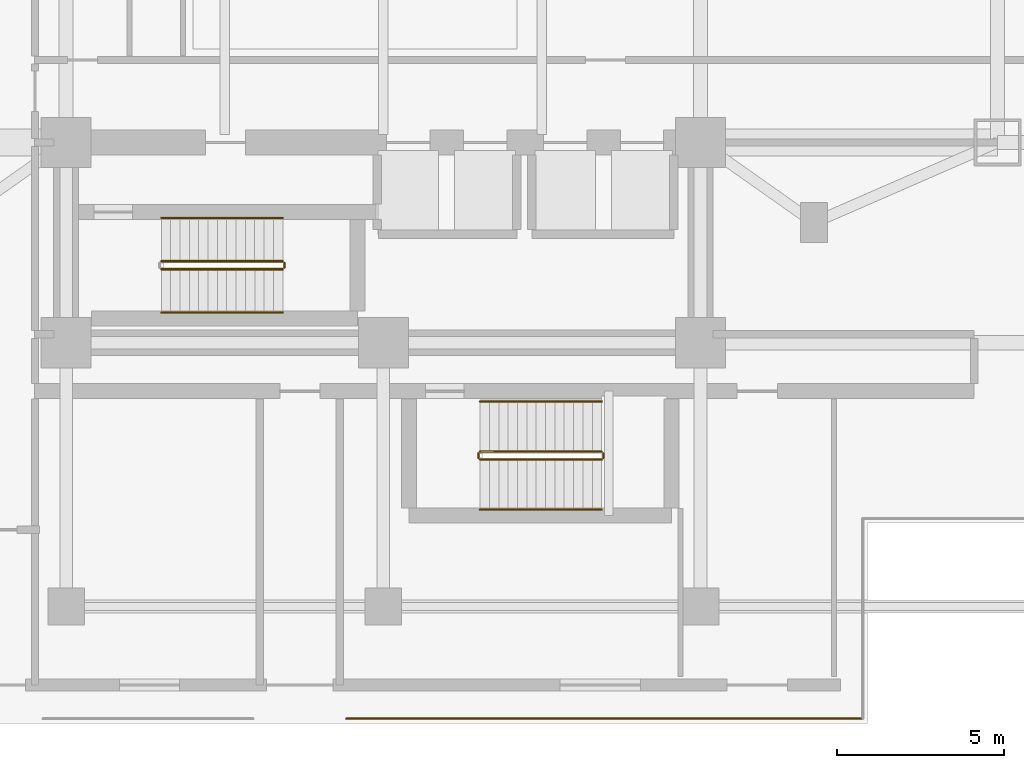
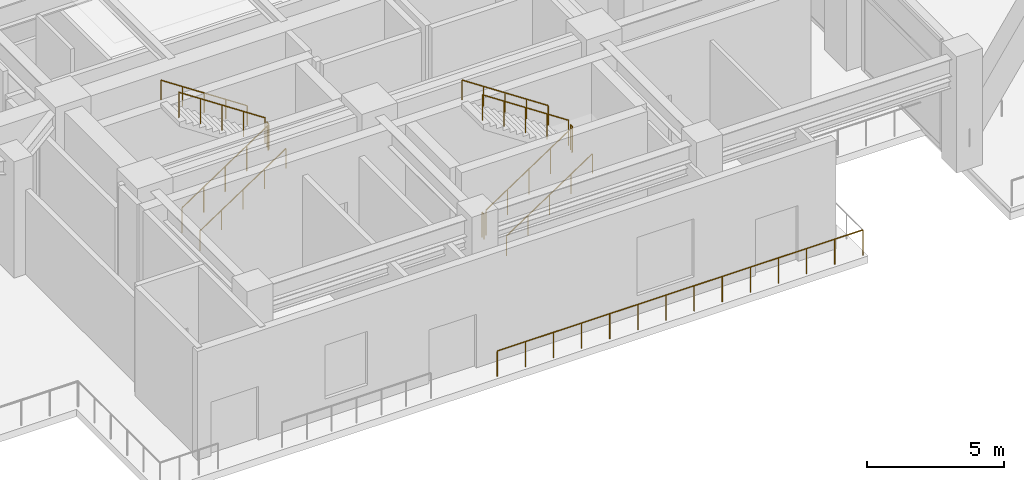
# One storey, part 18 of 27: 12 railings.
"""IFC4 building model written with IfcOpenShell, lengths in metres."""

from ifc_helpers import new_model, si_unit, direction, frame, origin, origin_2d, place, context, subcontext, project, spatial, circle, extrude, material, type_object, element, save


model = new_model("IFC4")

# Units and contexts
model_context = context("Model", 3, precision=1e-05, world=origin(), true_north=direction((0.0, 1.0)))
body_context = subcontext(model_context, "Body", "Model", "MODEL_VIEW")
ifc_project = project(units=[si_unit("LENGTHUNIT", "METRE"), si_unit("AREAUNIT", "SQUARE_METRE"), si_unit("VOLUMEUNIT", "CUBIC_METRE"), si_unit("PLANEANGLEUNIT", "RADIAN"), si_unit("MASSUNIT", "GRAM", prefix="KILO")], contexts=[model_context])

# Site, building, storey
site_placement = place(None, origin())
site = spatial("IfcSite", under=ifc_project, at=site_placement, CompositionType="ELEMENT")
building_placement = place(site_placement, origin())
building = spatial("IfcBuilding", under=site, at=building_placement, Name="Mirazonda Arch Towers", CompositionType="ELEMENT")
storey_placement = place(building_placement, origin())
storey = spatial("IfcBuildingStorey", under=building, at=storey_placement, Name="L00", CompositionType="ELEMENT", Elevation=0.0)

# Railings
ifc_material = material(Name="Architectural Brushed Steel S355", Category="steel")
railing_type_1 = type_object("IfcRailingType", Name="GUARD-EXT-1150", PredefinedType="GUARDRAIL", material=ifc_material)
railing_1_placement = place(storey_placement, frame((19.39990234375, 1.139892578125, 0.0)))
element("IfcRailing", 1, at=railing_1_placement, inside=storey, type_object=railing_type_1, Name="L00 L00 Podium Edge Guard 3 01", PredefinedType="GUARDRAIL", context=body_context, shape_type="SweptSolid", body=[
    extrude(circle(Radius=0.02392578125, at=origin_2d()), frame((0.0, 0.0, 1.1259765625), z_axis=(1.0, 0.0, 0.0), x_axis=(0.0, 1.0, 0.0)), (0.0, 0.0, 1.0), 15.460205078125),
    extrude(circle(Radius=0.02099609375, at=origin_2d()), origin(), (0.0, 0.0, 1.0), 1.101806640625),
    extrude(circle(Radius=0.02099609375, at=origin_2d()), frame((1.189208984375, 0.0, 0.0)), (0.0, 0.0, 1.0), 1.101806640625),
    extrude(circle(Radius=0.02099609375, at=origin_2d()), frame((2.37841796875, 0.0, 0.0)), (0.0, 0.0, 1.0), 1.101806640625),
    extrude(circle(Radius=0.02099609375, at=origin_2d()), frame((3.567626953125, 0.0, 0.0)), (0.0, 0.0, 1.0), 1.101806640625),
    extrude(circle(Radius=0.02099609375, at=origin_2d()), frame((4.757080078125, 0.0, 0.0)), (0.0, 0.0, 1.0), 1.101806640625),
    extrude(circle(Radius=0.02099609375, at=origin_2d()), frame((5.9462890625, 0.0, 0.0)), (0.0, 0.0, 1.0), 1.101806640625),
    extrude(circle(Radius=0.02099609375, at=origin_2d()), frame((7.135498046875, 0.0, 0.0)), (0.0, 0.0, 1.0), 1.101806640625),
    extrude(circle(Radius=0.02099609375, at=origin_2d()), frame((8.32470703125, 0.0, 0.0)), (0.0, 0.0, 1.0), 1.101806640625),
    extrude(circle(Radius=0.02099609375, at=origin_2d()), frame((9.513916015625, 0.0, 0.0)), (0.0, 0.0, 1.0), 1.101806640625),
    extrude(circle(Radius=0.02099609375, at=origin_2d()), frame((10.703125, 0.0, 0.0)), (0.0, 0.0, 1.0), 1.101806640625),
    extrude(circle(Radius=0.02099609375, at=origin_2d()), frame((11.892578125, 0.0, 0.0)), (0.0, 0.0, 1.0), 1.101806640625),
    extrude(circle(Radius=0.02099609375, at=origin_2d()), frame((13.081787109375, 0.0, 0.0)), (0.0, 0.0, 1.0), 1.101806640625),
    extrude(circle(Radius=0.02099609375, at=origin_2d()), frame((14.27099609375, 0.0, 0.0)), (0.0, 0.0, 1.0), 1.101806640625),
    extrude(circle(Radius=0.02099609375, at=origin_2d()), frame((15.460205078125, 0.0, 0.0)), (0.0, 0.0, 1.0), 1.101806640625),
])
railing_type_2 = type_object("IfcRailingType", Name="GUARD-STAIR-1120", PredefinedType="GUARDRAIL", material=ifc_material)
railing_2_placement = place(storey_placement, frame((13.85009765625, 14.60009765625, 0.185791015625)))
element("IfcRailing", 2, at=railing_2_placement, inside=storey, type_object=railing_type_2, Name="L00 ST-T1S stair guard 1", PredefinedType="GUARDRAIL", context=body_context, shape_type="SweptSolid", body=[
    extrude(circle(Radius=0.02392578125, at=origin_2d()), frame((0.0, 0.0, 1.1259765625), z_axis=(0.833346510843, 0.0, 0.552750932036), x_axis=(0.0, 1.0, 0.0)), (0.0, 0.0, 1.0), 4.367919921875),
    extrude(circle(Radius=0.02099609375, at=origin_2d()), origin(), (0.0, 0.0, 1.0), 1.101806640625),
    extrude(circle(Radius=0.02099609375, at=origin_2d()), frame((0.909912109375, 0.0, 0.603515625)), (0.0, 0.0, 1.0), 1.101806640625),
    extrude(circle(Radius=0.02099609375, at=origin_2d()), frame((1.81982421875, 0.0, 1.20703125)), (0.0, 0.0, 1.0), 1.101806640625),
    extrude(circle(Radius=0.02099609375, at=origin_2d()), frame((2.72998046875, 0.0, 1.810791015625)), (0.0, 0.0, 1.0), 1.101806640625),
    extrude(circle(Radius=0.02099609375, at=origin_2d()), frame((3.639892578125, 0.0, 2.414306640625)), (0.0, 0.0, 1.0), 1.101806640625),
])
railing_3_placement = place(storey_placement, frame((17.5400390625, 14.64990234375, 2.60009765625)))
element("IfcRailing", 3, at=railing_3_placement, inside=storey, type_object=railing_type_2, Name="L00 ST-T1S stair guard 2", PredefinedType="GUARDRAIL", context=body_context, shape_type="SweptSolid", body=[
    extrude(circle(Radius=0.02392578125, at=origin_2d()), frame((0.0, 0.0, 1.1259765625), z_axis=(0.0, 1.0, 0.0), x_axis=(-1.0, 0.0, 0.0)), (0.0, 0.0, 1.0), 0.14013671875),
    extrude(circle(Radius=0.02099609375, at=origin_2d()), origin(), (0.0, 0.0, 1.0), 1.101806640625),
    extrude(circle(Radius=0.02099609375, at=origin_2d()), frame((0.0, 0.14013671875, 0.0)), (0.0, 0.0, 1.0), 1.101806640625),
])
railing_4_placement = place(storey_placement, frame((17.489990234375, 14.840087890625, 2.78564453125)))
element("IfcRailing", 4, at=railing_4_placement, inside=storey, type_object=railing_type_2, Name="L00 ST-T1S stair guard 3", PredefinedType="GUARDRAIL", context=body_context, shape_type="SweptSolid", body=[
    extrude(circle(Radius=0.02392578125, at=origin_2d()), frame((0.0, 0.0, 1.1259765625), z_axis=(-0.833346510843, 0.0, 0.552750932036), x_axis=(0.0, -1.0, 0.0)), (0.0, 0.0, 1.0), 4.367919921875),
    extrude(circle(Radius=0.02099609375, at=origin_2d()), origin(), (0.0, 0.0, 1.0), 1.101806640625),
    extrude(circle(Radius=0.02099609375, at=origin_2d()), frame((-0.909912109375, 0.0, 0.603515625)), (0.0, 0.0, 1.0), 1.101806640625),
    extrude(circle(Radius=0.02099609375, at=origin_2d()), frame((-1.81982421875, 0.0, 1.20703125)), (0.0, 0.0, 1.0), 1.101806640625),
    extrude(circle(Radius=0.02099609375, at=origin_2d()), frame((-2.72998046875, 0.0, 1.810791015625)), (0.0, 0.0, 1.0), 1.101806640625),
    extrude(circle(Radius=0.02099609375, at=origin_2d()), frame((-3.639892578125, 0.0, 2.414306640625)), (0.0, 0.0, 1.0), 1.101806640625),
])
railing_5_placement = place(storey_placement, frame((23.39990234375, 8.89990234375, 0.185791015625)))
element("IfcRailing", 5, at=railing_5_placement, inside=storey, type_object=railing_type_2, Name="L00 ST-POD1 stair guard 1", PredefinedType="GUARDRAIL", context=body_context, shape_type="SweptSolid", body=[
    extrude(circle(Radius=0.02392578125, at=origin_2d()), frame((0.0, 0.0, 1.1259765625), z_axis=(0.833363587613, 0.0, 0.552725185641), x_axis=(0.0, 1.0, 0.0)), (0.0, 0.0, 1.0), 4.367919921875),
    extrude(circle(Radius=0.02099609375, at=origin_2d()), origin(), (0.0, 0.0, 1.0), 1.101806640625),
    extrude(circle(Radius=0.02099609375, at=origin_2d()), frame((0.91015625, 0.0, 0.603515625)), (0.0, 0.0, 1.0), 1.101806640625),
    extrude(circle(Radius=0.02099609375, at=origin_2d()), frame((1.820068359375, 0.0, 1.20703125)), (0.0, 0.0, 1.0), 1.101806640625),
    extrude(circle(Radius=0.02099609375, at=origin_2d()), frame((2.72998046875, 0.0, 1.810791015625)), (0.0, 0.0, 1.0), 1.101806640625),
    extrude(circle(Radius=0.02099609375, at=origin_2d()), frame((3.64013671875, 0.0, 2.414306640625)), (0.0, 0.0, 1.0), 1.101806640625),
])
railing_6_placement = place(storey_placement, frame((27.090087890625, 8.949951171875, 2.60009765625)))
element("IfcRailing", 6, at=railing_6_placement, inside=storey, type_object=railing_type_2, Name="L00 ST-POD1 stair guard 2", PredefinedType="GUARDRAIL", context=body_context, shape_type="SweptSolid", body=[
    extrude(circle(Radius=0.02392578125, at=origin_2d()), frame((0.0, 0.0, 1.1259765625), z_axis=(0.0, 1.0, 0.0), x_axis=(-1.0, 0.0, 0.0)), (0.0, 0.0, 1.0), 0.14013671875),
    extrude(circle(Radius=0.02099609375, at=origin_2d()), origin(), (0.0, 0.0, 1.0), 1.101806640625),
    extrude(circle(Radius=0.02099609375, at=origin_2d()), frame((0.0, 0.14013671875, 0.0)), (0.0, 0.0, 1.0), 1.101806640625),
])
railing_7_placement = place(storey_placement, frame((27.0400390625, 9.139892578125, 2.78564453125)))
element("IfcRailing", 7, at=railing_7_placement, inside=storey, type_object=railing_type_2, Name="L00 ST-POD1 stair guard 3", PredefinedType="GUARDRAIL", context=body_context, shape_type="SweptSolid", body=[
    extrude(circle(Radius=0.02392578125, at=origin_2d()), frame((0.0, 0.0, 1.1259765625), z_axis=(-0.833363587613, 0.0, 0.552725185641), x_axis=(0.0, -1.0, 0.0)), (0.0, 0.0, 1.0), 4.367919921875),
    extrude(circle(Radius=0.02099609375, at=origin_2d()), origin(), (0.0, 0.0, 1.0), 1.101806640625),
    extrude(circle(Radius=0.02099609375, at=origin_2d()), frame((-0.91015625, 0.0, 0.603515625)), (0.0, 0.0, 1.0), 1.101806640625),
    extrude(circle(Radius=0.02099609375, at=origin_2d()), frame((-1.820068359375, 0.0, 1.20703125)), (0.0, 0.0, 1.0), 1.101806640625),
    extrude(circle(Radius=0.02099609375, at=origin_2d()), frame((-2.72998046875, 0.0, 1.810791015625)), (0.0, 0.0, 1.0), 1.101806640625),
    extrude(circle(Radius=0.02099609375, at=origin_2d()), frame((-3.64013671875, 0.0, 2.414306640625)), (0.0, 0.0, 1.0), 1.101806640625),
])
railing_8_placement = place(storey_placement, frame((23.35009765625, 8.949951171875, 0.0)))
element("IfcRailing", 8, at=railing_8_placement, inside=storey, type_object=railing_type_2, Name="L00 ST-POD1 stair guard 4", PredefinedType="GUARDRAIL", context=body_context, shape_type="SweptSolid", body=[
    extrude(circle(Radius=0.02392578125, at=origin_2d()), frame((0.0, 0.0, 1.1259765625), z_axis=(0.0, 1.0, 0.0), x_axis=(-1.0, 0.0, 0.0)), (0.0, 0.0, 1.0), 0.14013671875),
    extrude(circle(Radius=0.02099609375, at=origin_2d()), origin(), (0.0, 0.0, 1.0), 1.101806640625),
    extrude(circle(Radius=0.02099609375, at=origin_2d()), frame((0.0, 0.14013671875, 0.0)), (0.0, 0.0, 1.0), 1.101806640625),
])
railing_type_3 = type_object("IfcRailingType", Name="HANDRAIL-915", PredefinedType="HANDRAIL", material=ifc_material)
railing_9_placement = place(storey_placement, frame((13.85009765625, 13.300048828125, 0.185791015625)))
element("IfcRailing", 9, at=railing_9_placement, inside=storey, type_object=railing_type_3, Name="L00 ST-T1S stair handrail 1", PredefinedType="HANDRAIL", context=body_context, shape_type="SweptSolid", body=[
    extrude(circle(Radius=0.02392578125, at=origin_2d()), frame((0.0, 0.0, 0.8759765625), z_axis=(0.833346510843, 0.0, 0.552750932036), x_axis=(0.0, 1.0, 0.0)), (0.0, 0.0, 1.0), 4.367919921875),
    extrude(circle(Radius=0.02099609375, at=origin_2d()), origin(), (0.0, 0.0, 1.0), 0.851806640625),
    extrude(circle(Radius=0.02099609375, at=origin_2d()), frame((0.909912109375, 0.0, 0.603515625)), (0.0, 0.0, 1.0), 0.851806640625),
    extrude(circle(Radius=0.02099609375, at=origin_2d()), frame((1.81982421875, 0.0, 1.20703125)), (0.0, 0.0, 1.0), 0.851806640625),
    extrude(circle(Radius=0.02099609375, at=origin_2d()), frame((2.72998046875, 0.0, 1.810791015625)), (0.0, 0.0, 1.0), 0.851806640625),
    extrude(circle(Radius=0.02099609375, at=origin_2d()), frame((3.639892578125, 0.0, 2.414306640625)), (0.0, 0.0, 1.0), 0.851806640625),
])
railing_10_placement = place(storey_placement, frame((17.489990234375, 16.139892578125, 2.78564453125)))
element("IfcRailing", 10, at=railing_10_placement, inside=storey, type_object=railing_type_3, Name="L00 ST-T1S stair handrail 2", PredefinedType="HANDRAIL", context=body_context, shape_type="SweptSolid", body=[
    extrude(circle(Radius=0.02392578125, at=origin_2d()), frame((0.0, 0.0, 0.8759765625), z_axis=(-0.833346510843, 0.0, 0.552750932036), x_axis=(0.0, -1.0, 0.0)), (0.0, 0.0, 1.0), 4.367919921875),
    extrude(circle(Radius=0.02099609375, at=origin_2d()), origin(), (0.0, 0.0, 1.0), 0.851806640625),
    extrude(circle(Radius=0.02099609375, at=origin_2d()), frame((-0.909912109375, 0.0, 0.603515625)), (0.0, 0.0, 1.0), 0.851806640625),
    extrude(circle(Radius=0.02099609375, at=origin_2d()), frame((-1.81982421875, 0.0, 1.20703125)), (0.0, 0.0, 1.0), 0.851806640625),
    extrude(circle(Radius=0.02099609375, at=origin_2d()), frame((-2.72998046875, 0.0, 1.810791015625)), (0.0, 0.0, 1.0), 0.851806640625),
    extrude(circle(Radius=0.02099609375, at=origin_2d()), frame((-3.639892578125, 0.0, 2.414306640625)), (0.0, 0.0, 1.0), 0.851806640625),
])
railing_11_placement = place(storey_placement, frame((23.39990234375, 7.39990234375, 0.185791015625)))
element("IfcRailing", 11, at=railing_11_placement, inside=storey, type_object=railing_type_3, Name="L00 ST-POD1 stair handrail 1", PredefinedType="HANDRAIL", context=body_context, shape_type="SweptSolid", body=[
    extrude(circle(Radius=0.02392578125, at=origin_2d()), frame((0.0, 0.0, 0.8759765625), z_axis=(0.833363587613, 0.0, 0.552725185641), x_axis=(0.0, 1.0, 0.0)), (0.0, 0.0, 1.0), 4.367919921875),
    extrude(circle(Radius=0.02099609375, at=origin_2d()), origin(), (0.0, 0.0, 1.0), 0.851806640625),
    extrude(circle(Radius=0.02099609375, at=origin_2d()), frame((0.91015625, 0.0, 0.603515625)), (0.0, 0.0, 1.0), 0.851806640625),
    extrude(circle(Radius=0.02099609375, at=origin_2d()), frame((1.820068359375, 0.0, 1.20703125)), (0.0, 0.0, 1.0), 0.851806640625),
    extrude(circle(Radius=0.02099609375, at=origin_2d()), frame((2.72998046875, 0.0, 1.810791015625)), (0.0, 0.0, 1.0), 0.851806640625),
    extrude(circle(Radius=0.02099609375, at=origin_2d()), frame((3.64013671875, 0.0, 2.414306640625)), (0.0, 0.0, 1.0), 0.851806640625),
])
railing_12_placement = place(storey_placement, frame((27.0400390625, 10.639892578125, 2.78564453125)))
element("IfcRailing", 12, at=railing_12_placement, inside=storey, type_object=railing_type_3, Name="L00 ST-POD1 stair handrail 2", PredefinedType="HANDRAIL", context=body_context, shape_type="SweptSolid", body=[
    extrude(circle(Radius=0.02392578125, at=origin_2d()), frame((0.0, 0.0, 0.8759765625), z_axis=(-0.833363587613, 0.0, 0.552725185641), x_axis=(0.0, -1.0, 0.0)), (0.0, 0.0, 1.0), 4.367919921875),
    extrude(circle(Radius=0.02099609375, at=origin_2d()), origin(), (0.0, 0.0, 1.0), 0.851806640625),
    extrude(circle(Radius=0.02099609375, at=origin_2d()), frame((-0.91015625, 0.0, 0.603515625)), (0.0, 0.0, 1.0), 0.851806640625),
    extrude(circle(Radius=0.02099609375, at=origin_2d()), frame((-1.820068359375, 0.0, 1.20703125)), (0.0, 0.0, 1.0), 0.851806640625),
    extrude(circle(Radius=0.02099609375, at=origin_2d()), frame((-2.72998046875, 0.0, 1.810791015625)), (0.0, 0.0, 1.0), 0.851806640625),
    extrude(circle(Radius=0.02099609375, at=origin_2d()), frame((-3.64013671875, 0.0, 2.414306640625)), (0.0, 0.0, 1.0), 0.851806640625),
])

save(model, "model.ifc")
